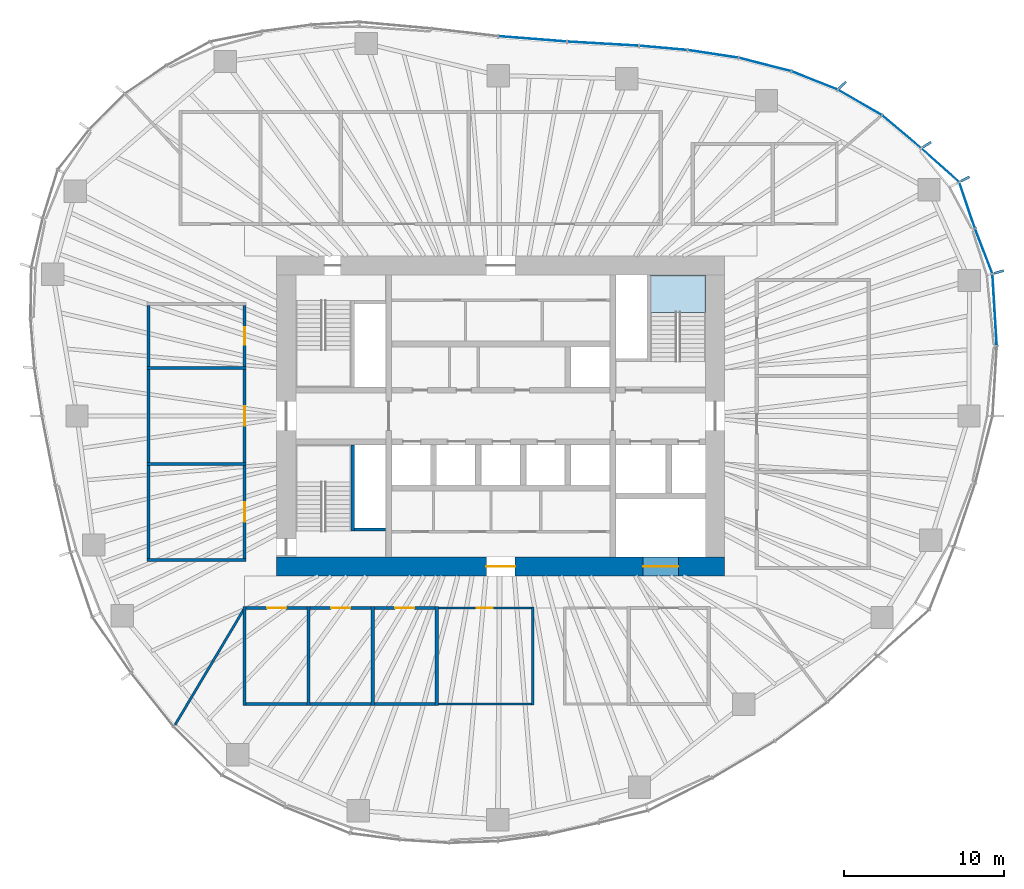
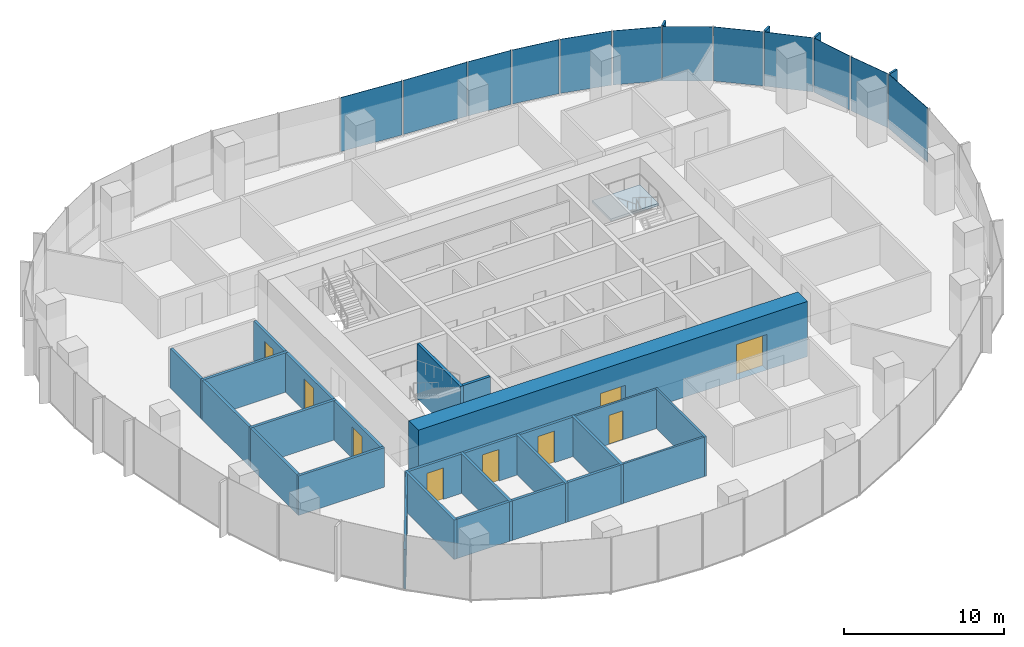
# One storey, part 8 of 18: 26 walls, 16 plates, 9 doors, 1 slab, 9 openings, 6 elements without a shape of their own.
"""IFC4 building model written with IfcOpenShell, lengths in metres."""

import ifcopenshell
import ifcopenshell.guid

model = None  # the IFC model being written
_history = None  # IfcOwnerHistory: only IFC2X3 demands one
_inside = {}  # id of a spatial element -> (the spatial element, [elements in it])
_under = {}  # id of a project, library or spatial element -> (it, [spatial elements below it])
_declared = {}  # id of a project -> (the project, [libraries it declares])
_typed = {}  # id of a type object -> (the type object, [elements of that type])
_made_of = {}  # id of a material, layer set ... -> (it, [elements and type objects made of it])


def new_model(schema):
    """Start an empty IFC model of exactly this schema.

    Asked for "IFC4X3", IfcOpenShell would pick the latest addendum, in which some entities
    have other attributes; the version numbers below select the first issue.
    IFC2X3 requires an IfcOwnerHistory on every rooted entity: one is made here for all.
    """
    global model, _history
    if schema == "IFC4X3":
        model = ifcopenshell.file(schema_version=(4, 3, 0, 0))
    else:
        model = ifcopenshell.file(schema=schema)
    _inside.clear()
    _under.clear()
    _declared.clear()
    _typed.clear()
    _made_of.clear()
    _history = None
    if model.schema == "IFC2X3":
        org = make("IfcOrganization", Name="unknown")
        user = make(
            "IfcPersonAndOrganization",
            ThePerson=make("IfcPerson", FamilyName="unknown"),
            TheOrganization=org,
        )
        app = make(
            "IfcApplication",
            ApplicationDeveloper=org,
            Version="unknown",
            ApplicationFullName="unknown",
            ApplicationIdentifier="unknown",
        )
        _history = make(
            "IfcOwnerHistory",
            OwningUser=user,
            OwningApplication=app,
            ChangeAction="ADDED",
            CreationDate=0,
        )
    return model


def make(cls, **values):
    """One entity of the class cls with the attributes given. An attribute that is None is left unset."""
    return model.create_entity(
        cls, **{name: value for name, value in values.items() if value is not None}
    )


def rooted(cls, **values):
    """An entity with a GlobalId (a new one), such as an element, a storey or a relation."""
    return make(cls, GlobalId=ifcopenshell.guid.new(), OwnerHistory=_history, **values)


def si_unit(unit_type, name, prefix=None):
    """IfcSIUnit, for example si_unit("LENGTHUNIT", "METRE", prefix="MILLI")."""
    return make("IfcSIUnit", UnitType=unit_type, Prefix=prefix, Name=name)


def assignment(units):
    """IfcUnitAssignment: the units of a project."""
    return None if units is None else make("IfcUnitAssignment", Units=units)


def point(xyz):
    """IfcCartesianPoint."""
    return None if xyz is None else make("IfcCartesianPoint", Coordinates=xyz)


def direction(xyz):
    """IfcDirection."""
    return None if xyz is None else make("IfcDirection", DirectionRatios=xyz)


def frame(location, z_axis=None, x_axis=None):
    """IfcAxis2Placement3D, a coordinate frame: its origin and axes. An axis left out is left unset."""
    return make(
        "IfcAxis2Placement3D",
        Location=point(location),
        Axis=direction(z_axis),
        RefDirection=direction(x_axis),
    )


def frame_2d(location, x_axis=None):
    """IfcAxis2Placement2D, a coordinate frame in the plane: its origin and x axis."""
    return make(
        "IfcAxis2Placement2D", Location=point(location), RefDirection=direction(x_axis)
    )


def origin():
    """The frame at (0, 0, 0) with its axes left unset."""
    return frame((0.0, 0.0, 0.0))


def origin_2d():
    """The frame at (0, 0) in the plane with its x axis left unset."""
    return frame_2d((0.0, 0.0))


def place(relative_to, where):
    """IfcLocalPlacement: puts the frame where relative to a parent placement (None: the world)."""
    return make(
        "IfcLocalPlacement", PlacementRelTo=relative_to, RelativePlacement=where
    )


def context(
    kind, dimensions, precision=None, world=None, true_north=None, identifier=None
):
    """IfcGeometricRepresentationContext, for example the 3D "Model" context."""
    return make(
        "IfcGeometricRepresentationContext",
        ContextIdentifier=identifier,
        ContextType=kind,
        CoordinateSpaceDimension=dimensions,
        Precision=precision,
        WorldCoordinateSystem=world,
        TrueNorth=true_north,
    )


def subcontext(parent, identifier, kind, view, scale=None):
    """IfcGeometricRepresentationSubContext, for example "Body" below "Model"."""
    return make(
        "IfcGeometricRepresentationSubContext",
        ContextIdentifier=identifier,
        ContextType=kind,
        ParentContext=parent,
        TargetScale=scale,
        TargetView=view,
    )


def project(units=None, contexts=None):
    """IfcProject with its units and contexts."""
    return rooted(
        "IfcProject",
        Name="project",
        RepresentationContexts=contexts,
        UnitsInContext=assignment(units),
    )


def spatial(cls, under=None, at=None, **own):
    """A site, building, storey or space (cls), placed at a placement, below another one or the project."""
    s = rooted(cls, ObjectPlacement=at, **own)
    if under is not None:
        _under.setdefault(under.id(), (under, []))[1].append(s)
    return s


def polyline(points):
    """IfcPolyline through the points."""
    return make("IfcPolyline", Points=[point(p) for p in points])


def profile(cls, at=None, kind="AREA", **sizes):
    """A parametric profile (cls). Its sizes go by their IFC names, for example OverallWidth=200.0."""
    return make(cls, ProfileType=kind, Position=at, **sizes)


def rectangle(**sizes):
    """IfcRectangleProfileDef."""
    return profile("IfcRectangleProfileDef", **sizes)


def outline(outer, holes=None, kind="AREA"):
    """IfcArbitraryClosedProfileDef: a profile drawn as a closed curve; with holes, ...WithVoids."""
    if holes is None:
        return make("IfcArbitraryClosedProfileDef", ProfileType=kind, OuterCurve=outer)
    return make(
        "IfcArbitraryProfileDefWithVoids",
        ProfileType=kind,
        OuterCurve=outer,
        InnerCurves=holes,
    )


def extrude(swept, where, along, depth):
    """IfcExtrudedAreaSolid: the profile swept, set in the frame where, extruded along a direction by depth."""
    return make(
        "IfcExtrudedAreaSolid",
        SweptArea=swept,
        Position=where,
        ExtrudedDirection=direction(along),
        Depth=depth,
    )


def shape(context_of_items, identifier, shape_type, items):
    """IfcShapeRepresentation: the items that make up one representation, for example the "Body"."""
    return make(
        "IfcShapeRepresentation",
        ContextOfItems=context_of_items,
        RepresentationIdentifier=identifier,
        RepresentationType=shape_type,
        Items=items,
    )


def material(Name=None, Category=None):
    """IfcMaterial."""
    return make("IfcMaterial", Name=Name, Category=Category)


def layer(
    of_material, thickness, ventilated=None, Name=None, Category=None, Priority=None
):
    """IfcMaterialLayer: one layer of a wall or slab, of a material (None: an air gap)."""
    return make(
        "IfcMaterialLayer",
        Material=of_material,
        LayerThickness=thickness,
        IsVentilated=ventilated,
        Name=Name,
        Category=Category,
        Priority=Priority,
    )


def layer_set(layers, Name=None):
    """IfcMaterialLayerSet."""
    return make("IfcMaterialLayerSet", MaterialLayers=layers, LayerSetName=Name)


def made_of(thing, what):
    """Note that an element or type object is made of a material, layer set ...; save() writes the relation."""
    if what is not None:
        _made_of.setdefault(what.id(), (what, []))[1].append(thing)
    return thing


def type_object(cls, material=None, **own):
    """A type object (cls), such as IfcWallType, which elements share."""
    return made_of(rooted(cls, **own), material)


def element(
    cls,
    number,
    at=None,
    inside=None,
    cuts=None,
    type_object=None,
    material=None,
    context=None,
    identifier="Body",
    shape_type=None,
    held_by="IfcProductDefinitionShape",
    body=None,
    shapes=None,
    **own,
):
    """One element of the class cls, such as IfcWall. Its Tag is "e" and its number.

    at: its placement. inside: the storey or other place that contains it. cuts: it is an
    opening in that element (IfcRelVoidsElement). A single representation is given by context,
    identifier, shape_type and body (its items); several are given by shapes. held_by: the class
    of the entity that holds the representations. save() writes the other relations.
    """
    e = rooted(cls, Tag="e%d" % number, ObjectPlacement=at, **own)
    if body is not None:
        shapes = [shape(context, identifier, shape_type, body)]
    if shapes is not None:
        e.Representation = make(held_by, Representations=shapes)
    if inside is not None:
        _inside.setdefault(inside.id(), (inside, []))[1].append(e)
    if cuts is not None:
        rooted(
            "IfcRelVoidsElement", RelatingBuildingElement=cuts, RelatedOpeningElement=e
        )
    if type_object is not None:
        _typed.setdefault(type_object.id(), (type_object, []))[1].append(e)
    return made_of(e, material)


def fill(opening, filler):
    """IfcRelFillsElement: the door or window that sits in an opening."""
    return rooted(
        "IfcRelFillsElement",
        RelatingOpeningElement=opening,
        RelatedBuildingElement=filler,
    )


def aggregate(whole, parts):
    """IfcRelAggregates: a whole, such as a stair, and the parts it consists of."""
    return rooted("IfcRelAggregates", RelatingObject=whole, RelatedObjects=parts)


def save(model, path):
    """Write the relations noted so far, then the file.

    IfcRelAggregates (storeys below a building ...), IfcRelContainedInSpatialStructure (elements
    in a storey), IfcRelDefinesByType, IfcRelAssociatesMaterial and IfcRelDeclares: one each for
    every whole, place, type object, material and project.
    """
    for whole, parts in _under.values():
        aggregate(whole, parts)
    for where, things in _inside.values():
        rooted(
            "IfcRelContainedInSpatialStructure",
            RelatedElements=things,
            RelatingStructure=where,
        )
    for kind, things in _typed.values():
        rooted("IfcRelDefinesByType", RelatedObjects=things, RelatingType=kind)
    for what, things in _made_of.values():
        rooted("IfcRelAssociatesMaterial", RelatedObjects=things, RelatingMaterial=what)
    for by, libraries in _declared.values():
        rooted("IfcRelDeclares", RelatingContext=by, RelatedDefinitions=libraries)
    model.write(path)


model = new_model("IFC4")

# Units and contexts
model_context = context("Model", 3, precision=1e-05, world=origin(), true_north=direction((0.0, 1.0)))
body_context = subcontext(model_context, "Body", "Model", "MODEL_VIEW")
ifc_project = project(units=[si_unit("LENGTHUNIT", "METRE"), si_unit("AREAUNIT", "SQUARE_METRE"), si_unit("VOLUMEUNIT", "CUBIC_METRE"), si_unit("PLANEANGLEUNIT", "RADIAN"), si_unit("MASSUNIT", "GRAM", prefix="KILO")], contexts=[model_context])

# Site, building, storey
site_placement = place(None, origin())
site = spatial("IfcSite", under=ifc_project, at=site_placement, CompositionType="ELEMENT")
building_placement = place(site_placement, origin())
building = spatial("IfcBuilding", under=site, at=building_placement, Name="Ghaith Harvest Tower", CompositionType="ELEMENT")
storey_placement = place(building_placement, frame((0.0, 0.0, 176.39990234375)))
storey = spatial("IfcBuildingStorey", under=building, at=storey_placement, Name="L38", CompositionType="ELEMENT", Elevation=176.39990234375)

# Curtain wall, plate
ifc_material_1 = material(Name="Black anodised aluminium and fritted glass", Category="aluminium")
curtain_wall_type = type_object("IfcCurtainWallType", Name="CW-L CURTAIN WALL", PredefinedType="NOTDEFINED", material=ifc_material_1)
curtain_wall_1_placement = place(storey_placement, origin())
curtain_wall_1 = element("IfcCurtainWall", 1, at=curtain_wall_1_placement, inside=storey, type_object=curtain_wall_type, Name="Curtain wall CW-L bay 01 L38", PredefinedType="NOTDEFINED")
ifc_material_2 = material(Name="Glass, dark solar-control fritted double glazed unit", Category="glass")
ifc_layer_1 = layer(ifc_material_2, 0.031982421875)
ifc_layer_set_1 = layer_set([ifc_layer_1], Name="CW-L VISION PANEL")
plate_type_1 = type_object("IfcPlateType", Name="CW-L VISION PANEL", PredefinedType="CURTAIN_PANEL", material=ifc_layer_set_1)
plate_1_placement = place(storey_placement, frame((30.863037109375, 6.63525390625, 0.080078125), z_axis=(0.0, 0.0, 1.0), x_axis=(-0.060320650032, 0.998179051663, 0.0)))
plate_1 = element("IfcPlate", 2, at=plate_1_placement, type_object=plate_type_1, Name="CW-L glass unit 2 bay 01 L38", PredefinedType="CURTAIN_PANEL", context=body_context, shape_type="SweptSolid", body=[
    extrude(rectangle(XDim=4.419189453125, YDim=0.031982421875, at=origin_2d()), origin(), (0.0, 0.0, 1.0), 4.1201171875),
])
aggregate(curtain_wall_1, [plate_1])

# Curtain wall, plates
curtain_wall_2_placement = place(storey_placement, origin())
curtain_wall_2 = element("IfcCurtainWall", 3, at=curtain_wall_2_placement, inside=storey, type_object=curtain_wall_type, Name="Curtain wall CW-L bay 02 L38", PredefinedType="NOTDEFINED")
plate_2_placement = place(storey_placement, frame((30.180908203125, 10.29833984375, 0.080078125), z_axis=(0.0, 0.0, 1.0), x_axis=(-0.359676824997, 0.933076943001, 0.0)))
plate_2 = element("IfcPlate", 4, at=plate_2_placement, type_object=plate_type_1, Name="CW-L glass unit 1 bay 02 L38", PredefinedType="CURTAIN_PANEL", context=body_context, shape_type="SweptSolid", body=[
    extrude(rectangle(XDim=2.95849609375, YDim=0.031982421875, at=origin_2d()), origin(), (0.0, 0.0, 1.0), 4.1201171875),
])
plate_3_placement = place(storey_placement, frame((29.142333984375, 13.163818359375, 0.080078125), z_axis=(0.0, 0.0, 1.0), x_axis=(-0.321853304376, 0.946789549194, 0.0)))
plate_3 = element("IfcPlate", 5, at=plate_3_placement, type_object=plate_type_1, Name="CW-L glass unit 2 bay 02 L38", PredefinedType="CURTAIN_PANEL", context=body_context, shape_type="SweptSolid", body=[
    extrude(rectangle(XDim=2.978759765625, YDim=0.031982421875, at=origin_2d()), origin(), (0.0, 0.0, 1.0), 4.1201171875),
])
plate_4_placement = place(storey_placement, frame((27.46533203125, 15.668701171875, 0.080078125), z_axis=(0.0, 0.0, 1.0), x_axis=(-0.746250544556, 0.665665174656, 0.0)))
plate_4 = element("IfcPlate", 6, at=plate_4_placement, type_object=plate_type_1, Name="CW-L glass unit 3 bay 02 L38", PredefinedType="CURTAIN_PANEL", context=body_context, shape_type="SweptSolid", body=[
    extrude(rectangle(XDim=3.094970703125, YDim=0.031982421875, at=origin_2d()), origin(), (0.0, 0.0, 1.0), 4.1201171875),
])
aggregate(curtain_wall_2, [plate_2, plate_3, plate_4])

curtain_wall_3_placement = place(storey_placement, origin())
curtain_wall_3 = element("IfcCurtainWall", 7, at=curtain_wall_3_placement, inside=storey, type_object=curtain_wall_type, Name="Curtain wall CW-L bay 03 L38", PredefinedType="NOTDEFINED")
plate_5_placement = place(storey_placement, frame((25.05126953125, 17.7587890625, 0.080078125), z_axis=(0.0, 0.0, 1.0), x_axis=(-0.765473064857, 0.643467937801, 0.0)))
plate_5 = element("IfcPlate", 8, at=plate_5_placement, type_object=plate_type_1, Name="CW-L glass unit 1 bay 03 L38", PredefinedType="CURTAIN_PANEL", context=body_context, shape_type="SweptSolid", body=[
    extrude(rectangle(XDim=3.13232421875, YDim=0.031982421875, at=origin_2d()), origin(), (0.0, 0.0, 1.0), 4.1201171875),
])
plate_6_placement = place(storey_placement, frame((22.444091796875, 19.590576171875, 0.080078125), z_axis=(0.0, 0.0, 1.0), x_axis=(-0.865232087993, 0.501371552751, 0.0)))
plate_6 = element("IfcPlate", 9, at=plate_6_placement, type_object=plate_type_1, Name="CW-L glass unit 2 bay 03 L38", PredefinedType="CURTAIN_PANEL", context=body_context, shape_type="SweptSolid", body=[
    extrude(rectangle(XDim=3.10498046875, YDim=0.031982421875, at=origin_2d()), origin(), (0.0, 0.0, 1.0), 4.1201171875),
])
plate_7_placement = place(storey_placement, frame((19.6142578125, 20.963623046875, 0.080078125), z_axis=(0.0, 0.0, 1.0), x_axis=(-0.929876534019, 0.367871759558, 0.0)))
plate_7 = element("IfcPlate", 10, at=plate_7_placement, type_object=plate_type_1, Name="CW-L glass unit 3 bay 03 L38", PredefinedType="CURTAIN_PANEL", context=body_context, shape_type="SweptSolid", body=[
    extrude(rectangle(XDim=3.042724609375, YDim=0.031982421875, at=origin_2d()), origin(), (0.0, 0.0, 1.0), 4.1201171875),
])
aggregate(curtain_wall_3, [plate_5, plate_6, plate_7])

curtain_wall_4_placement = place(storey_placement, origin())
curtain_wall_4 = element("IfcCurtainWall", 11, at=curtain_wall_4_placement, inside=storey, type_object=curtain_wall_type, Name="Curtain wall CW-L bay 04 L38", PredefinedType="NOTDEFINED")
plate_8_placement = place(storey_placement, frame((16.513427734375, 21.958740234375, 0.080078125), z_axis=(0.0, 0.0, 1.0), x_axis=(-0.96893110987, 0.247330758955, 0.0)))
plate_8 = element("IfcPlate", 12, at=plate_8_placement, type_object=plate_type_1, Name="CW-L glass unit 1 bay 04 L38", PredefinedType="CURTAIN_PANEL", context=body_context, shape_type="SweptSolid", body=[
    extrude(rectangle(XDim=3.3232421875, YDim=0.031982421875, at=origin_2d()), origin(), (0.0, 0.0, 1.0), 4.1201171875),
])
plate_9_placement = place(storey_placement, frame((13.2685546875, 22.621826171875, 0.080078125), z_axis=(0.0, 0.0, 1.0), x_axis=(-0.988678736369, 0.150047846542, 0.0)))
plate_9 = element("IfcPlate", 13, at=plate_9_placement, type_object=plate_type_1, Name="CW-L glass unit 2 bay 04 L38", PredefinedType="CURTAIN_PANEL", context=body_context, shape_type="SweptSolid", body=[
    extrude(rectangle(XDim=3.14892578125, YDim=0.031982421875, at=origin_2d()), origin(), (0.0, 0.0, 1.0), 4.1201171875),
])
plate_10_placement = place(storey_placement, frame((10.15966796875, 22.9970703125, 0.080078125), z_axis=(0.0, 0.0, 1.0), x_axis=(-0.996166190972, 0.087480969151, 0.0)))
plate_10 = element("IfcPlate", 14, at=plate_10_placement, type_object=plate_type_1, Name="CW-L glass unit 3 bay 04 L38", PredefinedType="CURTAIN_PANEL", context=body_context, shape_type="SweptSolid", body=[
    extrude(rectangle(XDim=2.957275390625, YDim=0.031982421875, at=origin_2d()), origin(), (0.0, 0.0, 1.0), 4.1201171875),
])
aggregate(curtain_wall_4, [plate_8, plate_9, plate_10])

curtain_wall_5_placement = place(storey_placement, origin())
curtain_wall_5 = element("IfcCurtainWall", 15, at=curtain_wall_5_placement, inside=storey, type_object=curtain_wall_type, Name="Curtain wall CW-L bay 05 L38", PredefinedType="NOTDEFINED")
plate_11_placement = place(storey_placement, frame((6.396728515625, 23.260498046875, 0.080078125), z_axis=(0.0, 0.0, 1.0), x_axis=(-0.998320798751, 0.05792739233, 0.0)))
plate_11 = element("IfcPlate", 16, at=plate_11_placement, type_object=plate_type_1, Name="CW-L glass unit 1 bay 05 L38", PredefinedType="CURTAIN_PANEL", context=body_context, shape_type="SweptSolid", body=[
    extrude(rectangle(XDim=4.427734375, YDim=0.031982421875, at=origin_2d()), origin(), (0.0, 0.0, 1.0), 4.1201171875),
])
plate_12_placement = place(storey_placement, frame((1.9921875, 23.560302734375, 0.080078125), z_axis=(0.0, 0.0, 1.0), x_axis=(-0.996925121312, 0.078360082291, 0.0)))
plate_12 = element("IfcPlate", 17, at=plate_12_placement, type_object=plate_type_1, Name="CW-L glass unit 2 bay 05 L38", PredefinedType="CURTAIN_PANEL", context=body_context, shape_type="SweptSolid", body=[
    extrude(rectangle(XDim=4.242431640625, YDim=0.031982421875, at=origin_2d()), origin(), (0.0, 0.0, 1.0), 4.1201171875),
])
aggregate(curtain_wall_5, [plate_11, plate_12])

# Stair, slab
ifc_material_3 = material(Name="Concrete C40/50, precast", Category="concrete")
stair_type = type_object("IfcStairType", Name="CORE STAIR 24R", PredefinedType="HALF_TURN_STAIR", material=ifc_material_3)
stair_placement = place(storey_placement, origin())
stair = element("IfcStair", 18, at=stair_placement, inside=storey, type_object=stair_type, Name="Stair ST2 L38", PredefinedType="HALF_TURN_STAIR")
ifc_material_4 = material(Name="Concrete C40/50, precast", Category="concrete")
ifc_layer_2 = layer(ifc_material_4, 0.179931640625)
ifc_layer_set_2 = layer_set([ifc_layer_2], Name="STAIR LANDING 180")
slab_type = type_object("IfcSlabType", Name="STAIR LANDING 180", PredefinedType="LANDING", material=ifc_layer_set_2)
slab_placement = place(storey_placement, frame((0.0, 0.0, 1.920166015625)))
slab = element("IfcSlab", 19, at=slab_placement, type_object=slab_type, Name="ST2 landing 1", PredefinedType="LANDING", context=body_context, shape_type="SweptSolid", body=[
    extrude(outline(polyline([(12.800048828125, 6.4599609375), (12.800048828125, 8.800048828125), (9.35009765625, 8.800048828125), (9.35009765625, 6.4599609375), (12.800048828125, 6.4599609375)])), origin(), (0.0, 0.0, 1.0), 0.179931640625),
])
aggregate(stair, [slab])

# Plates
ifc_material_5 = material(Name="Glassfibre-reinforced concrete", Category="concrete")
ifc_layer_3 = layer(ifc_material_5, 0.14990234375)
ifc_layer_set_3 = layer_set([ifc_layer_3], Name="SUN-BREAKER FIN 600x150")
plate_type_2 = type_object("IfcPlateType", Name="SUN-BREAKER FIN 600x150", PredefinedType="USERDEFINED", material=ifc_layer_set_3)
for number, where, z_axis, x_axis, name in (
    (20, (31.130859375, 8.99755859375, 0.0), (0.0, 0.0, 1.0), (0.960680349985, 0.277656739792, 0.0), "Sun-breaker fin CW-L 1 bay 02 L38"),
    (21, (29.024169921875, 14.802734375, 0.0), (0.0, 0.0, 1.0), (0.890830752257, 0.454335306611, 0.0), "Sun-breaker fin CW-L 3 bay 02 L38"),
    (22, (26.635009765625, 16.95068359375, 0.0), (0.0, 0.0, 1.0), (0.843643971464, 0.536903016766, 0.0), "Sun-breaker fin CW-L 1 bay 03 L38"),
    (23, (21.367919921875, 20.68115234375, 0.0), (0.0, 0.0, 1.0), (0.7185589652, 0.69546604053, 0.0), "Sun-breaker fin CW-L 3 bay 03 L38"),
):
    element("IfcPlate", number, at=place(storey_placement, frame(where, z_axis=z_axis, x_axis=x_axis)), inside=storey, type_object=plate_type_2, Name=name, ObjectType="SUN-BREAKER FIN", PredefinedType="USERDEFINED", context=body_context, shape_type="SweptSolid", body=[
        extrude(rectangle(XDim=0.60009765625, YDim=0.14990234375, at=origin_2d()), origin(), (0.0, 0.0, 1.0), 4.199951171875),
    ])

# Walls
ifc_material_6 = material(Name="Twin-stud gypsum board, acoustic", Category="gypsum")
ifc_layer_4 = layer(ifc_material_6, 0.199951171875)
ifc_layer_set_4 = layer_set([ifc_layer_4], Name="ACOUSTIC PARTITION 200")
wall_type_1 = type_object("IfcWallType", Name="ACOUSTIC PARTITION 200", PredefinedType="PARTITIONING", material=ifc_layer_set_4)
for number, where, z_axis, x_axis, name in (
    (24, (-16.0, -11.89990234375, 0.0), (0.0, 0.0, 1.0), (0.0, -1.0, 0.0), "Partition L38 row S3 cross wall 1"),
    (25, (-12.0, -11.89990234375, 0.0), (0.0, 0.0, 1.0), (0.0, -1.0, 0.0), "Partition L38 row S3 cross wall 2"),
    (26, (-8.0, -11.89990234375, 0.0), (0.0, 0.0, 1.0), (0.0, -1.0, 0.0), "Partition L38 row S3 cross wall 3"),
    (27, (-4.0, -11.89990234375, 0.0), (0.0, 0.0, 1.0), (0.0, -1.0, 0.0), "Partition L38 row S3 cross wall 4"),
):
    element("IfcWall", number, at=place(storey_placement, frame(where, z_axis=z_axis, x_axis=x_axis)), inside=storey, type_object=wall_type_1, Name=name, PredefinedType="PARTITIONING", context=body_context, shape_type="SweptSolid", body=[
        extrude(rectangle(XDim=6.2001953125, YDim=0.199951171875, at=frame_2d((3.10009765625, 0.0))), origin(), (0.0, 0.0, 1.0), 3.0),
    ])

# Wall, opening, door
wall_1_placement = place(storey_placement, frame((-15.89990234375, -12.0, 0.0), z_axis=(0.0, 0.0, 1.0), x_axis=(1.0, 0.0, 0.0)))
wall_1 = element("IfcWall", 28, at=wall_1_placement, inside=storey, type_object=wall_type_1, Name="Partition L38-08", PredefinedType="PARTITIONING", context=body_context, shape_type="SweptSolid", body=[
    extrude(rectangle(XDim=3.7998046875, YDim=0.199951171875, at=frame_2d((1.89990234375, 0.0))), origin(), (0.0, 0.0, 1.0), 3.0),
])
opening_1_placement = place(wall_1_placement, frame((1.300048828125, 0.0, 0.0)))
opening_1 = element("IfcOpeningElement", 29, at=opening_1_placement, cuts=wall_1, Name="Opening 38-034", PredefinedType="OPENING", context=body_context, shape_type="SweptSolid", body=[
    extrude(rectangle(XDim=1.199951171875, YDim=2.39990234375, at=frame_2d((0.60009765625, 1.199951171875))), frame((0.0, 0.10986328125, 0.0), z_axis=(0.0, -1.0, 0.0), x_axis=(1.0, 0.0, 0.0)), (0.0, 0.0, 1.0), 0.219970703125),
])
ifc_material_7 = material(Name="Timber door", Category="wood")
door_type_1 = type_object("IfcDoorType", Name="D11 GLAZED 1200x2400", OperationType="SINGLE_SWING_LEFT", PredefinedType="DOOR", material=ifc_material_7)
door_1_placement = place(opening_1_placement, origin())
door_1 = element("IfcDoor", 30, at=door_1_placement, inside=storey, type_object=door_type_1, Name="Meeting room door", OperationType="SINGLE_SWING_LEFT", OverallHeight=2.39990234375, OverallWidth=1.199951171875, PredefinedType="DOOR", context=body_context, shape_type="SweptSolid", body=[
    extrude(rectangle(XDim=1.199951171875, YDim=2.39990234375, at=frame_2d((0.60009765625, 1.199951171875))), frame((0.0, 0.02490234375, 0.0), z_axis=(0.0, -1.0, 0.0), x_axis=(1.0, 0.0, 0.0)), (0.0, 0.0, 1.0), 0.050048828125),
])
fill(opening_1, door_1)

# Wall
wall_2_placement = place(storey_placement, frame((-15.89990234375, -18.0, 0.0), z_axis=(0.0, 0.0, 1.0), x_axis=(1.0, 0.0, 0.0)))
element("IfcWall", 31, at=wall_2_placement, inside=storey, type_object=wall_type_1, Name="Partition L38-08", PredefinedType="PARTITIONING", context=body_context, shape_type="SweptSolid", body=[
    extrude(rectangle(XDim=3.7998046875, YDim=0.199951171875, at=frame_2d((1.89990234375, 0.0))), origin(), (0.0, 0.0, 1.0), 3.0),
])

# Wall, opening, door
wall_3_placement = place(storey_placement, frame((-11.89990234375, -12.0, 0.0), z_axis=(0.0, 0.0, 1.0), x_axis=(1.0, 0.0, 0.0)))
wall_3 = element("IfcWall", 32, at=wall_3_placement, inside=storey, type_object=wall_type_1, Name="Partition L38-09", PredefinedType="PARTITIONING", context=body_context, shape_type="SweptSolid", body=[
    extrude(rectangle(XDim=3.7998046875, YDim=0.199951171875, at=frame_2d((1.89990234375, 0.0))), origin(), (0.0, 0.0, 1.0), 3.0),
])
opening_2_placement = place(wall_3_placement, frame((1.300048828125, 0.0, 0.0)))
opening_2 = element("IfcOpeningElement", 33, at=opening_2_placement, cuts=wall_3, Name="Opening 38-035", PredefinedType="OPENING", context=body_context, shape_type="SweptSolid", body=[
    extrude(rectangle(XDim=1.199951171875, YDim=2.39990234375, at=frame_2d((0.60009765625, 1.199951171875))), frame((0.0, 0.10986328125, 0.0), z_axis=(0.0, -1.0, 0.0), x_axis=(1.0, 0.0, 0.0)), (0.0, 0.0, 1.0), 0.219970703125),
])
door_2_placement = place(opening_2_placement, origin())
door_2 = element("IfcDoor", 34, at=door_2_placement, inside=storey, type_object=door_type_1, Name="Meeting room door", OperationType="SINGLE_SWING_LEFT", OverallHeight=2.39990234375, OverallWidth=1.199951171875, PredefinedType="DOOR", context=body_context, shape_type="SweptSolid", body=[
    extrude(rectangle(XDim=1.199951171875, YDim=2.39990234375, at=frame_2d((0.60009765625, 1.199951171875))), frame((0.0, 0.02490234375, 0.0), z_axis=(0.0, -1.0, 0.0), x_axis=(1.0, 0.0, 0.0)), (0.0, 0.0, 1.0), 0.050048828125),
])
fill(opening_2, door_2)

# Wall
wall_4_placement = place(storey_placement, frame((-11.89990234375, -18.0, 0.0), z_axis=(0.0, 0.0, 1.0), x_axis=(1.0, 0.0, 0.0)))
element("IfcWall", 35, at=wall_4_placement, inside=storey, type_object=wall_type_1, Name="Partition L38-09", PredefinedType="PARTITIONING", context=body_context, shape_type="SweptSolid", body=[
    extrude(rectangle(XDim=3.7998046875, YDim=0.199951171875, at=frame_2d((1.89990234375, 0.0))), origin(), (0.0, 0.0, 1.0), 3.0),
])

# Wall, opening, door
wall_5_placement = place(storey_placement, frame((-7.89990234375, -12.0, 0.0), z_axis=(0.0, 0.0, 1.0), x_axis=(1.0, 0.0, 0.0)))
wall_5 = element("IfcWall", 36, at=wall_5_placement, inside=storey, type_object=wall_type_1, Name="Partition L38-10", PredefinedType="PARTITIONING", context=body_context, shape_type="SweptSolid", body=[
    extrude(rectangle(XDim=3.7998046875, YDim=0.199951171875, at=frame_2d((1.89990234375, 0.0))), origin(), (0.0, 0.0, 1.0), 3.0),
])
opening_3_placement = place(wall_5_placement, frame((1.300048828125, 0.0, 0.0)))
opening_3 = element("IfcOpeningElement", 37, at=opening_3_placement, cuts=wall_5, Name="Opening 38-036", PredefinedType="OPENING", context=body_context, shape_type="SweptSolid", body=[
    extrude(rectangle(XDim=1.199951171875, YDim=2.39990234375, at=frame_2d((0.60009765625, 1.199951171875))), frame((0.0, 0.10986328125, 0.0), z_axis=(0.0, -1.0, 0.0), x_axis=(1.0, 0.0, 0.0)), (0.0, 0.0, 1.0), 0.219970703125),
])
door_3_placement = place(opening_3_placement, origin())
door_3 = element("IfcDoor", 38, at=door_3_placement, inside=storey, type_object=door_type_1, Name="Meeting room door", OperationType="SINGLE_SWING_LEFT", OverallHeight=2.39990234375, OverallWidth=1.199951171875, PredefinedType="DOOR", context=body_context, shape_type="SweptSolid", body=[
    extrude(rectangle(XDim=1.199951171875, YDim=2.39990234375, at=frame_2d((0.60009765625, 1.199951171875))), frame((0.0, 0.02490234375, 0.0), z_axis=(0.0, -1.0, 0.0), x_axis=(1.0, 0.0, 0.0)), (0.0, 0.0, 1.0), 0.050048828125),
])
fill(opening_3, door_3)

# Walls
wall_6_placement = place(storey_placement, frame((-7.89990234375, -18.0, 0.0), z_axis=(0.0, 0.0, 1.0), x_axis=(1.0, 0.0, 0.0)))
element("IfcWall", 39, at=wall_6_placement, inside=storey, type_object=wall_type_1, Name="Partition L38-10", PredefinedType="PARTITIONING", context=body_context, shape_type="SweptSolid", body=[
    extrude(rectangle(XDim=3.7998046875, YDim=0.199951171875, at=frame_2d((1.89990234375, 0.0))), origin(), (0.0, 0.0, 1.0), 3.0),
])
for number, where, z_axis, x_axis, name in (
    (40, (-15.89990234375, -9.0, 0.0), (0.0, 0.0, 1.0), (-1.0, 0.0, 0.0), "Partition L38 row W5 cross wall 1"),
    (41, (-15.89990234375, -3.0, 0.0), (0.0, 0.0, 1.0), (-1.0, 0.0, 0.0), "Partition L38 row W5 cross wall 2"),
    (42, (-15.89990234375, 3.0, 0.0), (0.0, 0.0, 1.0), (-1.0, 0.0, 0.0), "Partition L38 row W5 cross wall 3"),
):
    element("IfcWall", number, at=place(storey_placement, frame(where, z_axis=z_axis, x_axis=x_axis)), inside=storey, type_object=wall_type_1, Name=name, PredefinedType="PARTITIONING", context=body_context, shape_type="SweptSolid", body=[
        extrude(rectangle(XDim=6.2001953125, YDim=0.199951171875, at=frame_2d((3.10009765625, 0.0))), origin(), (0.0, 0.0, 1.0), 3.0),
    ])

# Wall, opening, door
wall_7_placement = place(storey_placement, frame((-16.0, -8.89990234375, 0.0), z_axis=(0.0, 0.0, 1.0), x_axis=(0.0, 1.0, 0.0)))
wall_7 = element("IfcWall", 43, at=wall_7_placement, inside=storey, type_object=wall_type_1, Name="Partition L38-14", PredefinedType="PARTITIONING", context=body_context, shape_type="SweptSolid", body=[
    extrude(rectangle(XDim=5.7998046875, YDim=0.199951171875, at=frame_2d((2.89990234375, 0.0))), origin(), (0.0, 0.0, 1.0), 3.0),
])
opening_4_placement = place(wall_7_placement, frame((2.300048828125, 0.0, 0.0)))
opening_4 = element("IfcOpeningElement", 44, at=opening_4_placement, cuts=wall_7, Name="Opening 38-040", PredefinedType="OPENING", context=body_context, shape_type="SweptSolid", body=[
    extrude(rectangle(XDim=1.199951171875, YDim=2.39990234375, at=frame_2d((0.60009765625, 1.199951171875))), frame((0.0, 0.10986328125, 0.0), z_axis=(0.0, -1.0, 0.0), x_axis=(1.0, 0.0, 0.0)), (0.0, 0.0, 1.0), 0.219970703125),
])
door_4_placement = place(opening_4_placement, origin())
door_4 = element("IfcDoor", 45, at=door_4_placement, inside=storey, type_object=door_type_1, Name="Meeting room door", OperationType="SINGLE_SWING_LEFT", OverallHeight=2.39990234375, OverallWidth=1.199951171875, PredefinedType="DOOR", context=body_context, shape_type="SweptSolid", body=[
    extrude(rectangle(XDim=1.199951171875, YDim=2.39990234375, at=frame_2d((0.60009765625, 1.199951171875))), frame((0.0, 0.02490234375, 0.0), z_axis=(0.0, -1.0, 0.0), x_axis=(1.0, 0.0, 0.0)), (0.0, 0.0, 1.0), 0.050048828125),
])
fill(opening_4, door_4)

# Wall
wall_8_placement = place(storey_placement, frame((-22.0, -8.89990234375, 0.0), z_axis=(0.0, 0.0, 1.0), x_axis=(0.0, 1.0, 0.0)))
element("IfcWall", 46, at=wall_8_placement, inside=storey, type_object=wall_type_1, Name="Partition L38-14", PredefinedType="PARTITIONING", context=body_context, shape_type="SweptSolid", body=[
    extrude(rectangle(XDim=5.7998046875, YDim=0.199951171875, at=frame_2d((2.89990234375, 0.0))), origin(), (0.0, 0.0, 1.0), 3.0),
])

# Wall, opening, door
wall_9_placement = place(storey_placement, frame((-16.0, -2.89990234375, 0.0), z_axis=(0.0, 0.0, 1.0), x_axis=(0.0, 1.0, 0.0)))
wall_9 = element("IfcWall", 47, at=wall_9_placement, inside=storey, type_object=wall_type_1, Name="Partition L38-15", PredefinedType="PARTITIONING", context=body_context, shape_type="SweptSolid", body=[
    extrude(rectangle(XDim=5.7998046875, YDim=0.199951171875, at=frame_2d((2.89990234375, 0.0))), origin(), (0.0, 0.0, 1.0), 3.0),
])
opening_5_placement = place(wall_9_placement, frame((2.300048828125, 0.0, 0.0)))
opening_5 = element("IfcOpeningElement", 48, at=opening_5_placement, cuts=wall_9, Name="Opening 38-041", PredefinedType="OPENING", context=body_context, shape_type="SweptSolid", body=[
    extrude(rectangle(XDim=1.199951171875, YDim=2.39990234375, at=frame_2d((0.60009765625, 1.199951171875))), frame((0.0, 0.10986328125, 0.0), z_axis=(0.0, -1.0, 0.0), x_axis=(1.0, 0.0, 0.0)), (0.0, 0.0, 1.0), 0.219970703125),
])
door_5_placement = place(opening_5_placement, origin())
door_5 = element("IfcDoor", 49, at=door_5_placement, inside=storey, type_object=door_type_1, Name="Meeting room door", OperationType="SINGLE_SWING_LEFT", OverallHeight=2.39990234375, OverallWidth=1.199951171875, PredefinedType="DOOR", context=body_context, shape_type="SweptSolid", body=[
    extrude(rectangle(XDim=1.199951171875, YDim=2.39990234375, at=frame_2d((0.60009765625, 1.199951171875))), frame((0.0, 0.02490234375, 0.0), z_axis=(0.0, -1.0, 0.0), x_axis=(1.0, 0.0, 0.0)), (0.0, 0.0, 1.0), 0.050048828125),
])
fill(opening_5, door_5)

# Wall
wall_10_placement = place(storey_placement, frame((-22.0, -2.89990234375, 0.0), z_axis=(0.0, 0.0, 1.0), x_axis=(0.0, 1.0, 0.0)))
element("IfcWall", 50, at=wall_10_placement, inside=storey, type_object=wall_type_1, Name="Partition L38-15", PredefinedType="PARTITIONING", context=body_context, shape_type="SweptSolid", body=[
    extrude(rectangle(XDim=5.7998046875, YDim=0.199951171875, at=frame_2d((2.89990234375, 0.0))), origin(), (0.0, 0.0, 1.0), 3.0),
])

# Wall, opening, door
wall_11_placement = place(storey_placement, frame((-16.0, 3.10009765625, 0.0), z_axis=(0.0, 0.0, 1.0), x_axis=(0.0, 1.0, 0.0)))
wall_11 = element("IfcWall", 51, at=wall_11_placement, inside=storey, type_object=wall_type_1, Name="Partition L38-16", PredefinedType="PARTITIONING", context=body_context, shape_type="SweptSolid", body=[
    extrude(rectangle(XDim=3.7998046875, YDim=0.199951171875, at=frame_2d((1.89990234375, 0.0))), origin(), (0.0, 0.0, 1.0), 3.0),
])
opening_6_placement = place(wall_11_placement, frame((1.35009765625, 0.0, 0.0)))
opening_6 = element("IfcOpeningElement", 52, at=opening_6_placement, cuts=wall_11, Name="Opening 38-042", PredefinedType="OPENING", context=body_context, shape_type="SweptSolid", body=[
    extrude(rectangle(XDim=1.10009765625, YDim=2.300048828125, at=frame_2d((0.550048828125, 1.14990234375))), frame((0.0, 0.10986328125, 0.0), z_axis=(0.0, -1.0, 0.0), x_axis=(1.0, 0.0, 0.0)), (0.0, 0.0, 1.0), 0.219970703125),
])
ifc_material_8 = material(Name="Timber-framed glazed door", Category="wood")
door_type_2 = type_object("IfcDoorType", Name="D12 GLAZED OFFICE 1100x2300", OperationType="SINGLE_SWING_LEFT", PredefinedType="DOOR", material=ifc_material_8)
door_6_placement = place(opening_6_placement, origin())
door_6 = element("IfcDoor", 53, at=door_6_placement, inside=storey, type_object=door_type_2, Name="Quiet room door", OperationType="SINGLE_SWING_LEFT", OverallHeight=2.300048828125, OverallWidth=1.10009765625, PredefinedType="DOOR", context=body_context, shape_type="SweptSolid", body=[
    extrude(rectangle(XDim=1.10009765625, YDim=2.300048828125, at=frame_2d((0.550048828125, 1.14990234375))), frame((0.0, 0.02490234375, 0.0), z_axis=(0.0, -1.0, 0.0), x_axis=(1.0, 0.0, 0.0)), (0.0, 0.0, 1.0), 0.050048828125),
])
fill(opening_6, door_6)

# Wall
wall_12_placement = place(storey_placement, frame((-22.0, 3.10009765625, 0.0), z_axis=(0.0, 0.0, 1.0), x_axis=(0.0, 1.0, 0.0)))
element("IfcWall", 54, at=wall_12_placement, inside=storey, type_object=wall_type_1, Name="Partition L38-16", PredefinedType="PARTITIONING", context=body_context, shape_type="SweptSolid", body=[
    extrude(rectangle(XDim=3.7998046875, YDim=0.199951171875, at=frame_2d((1.89990234375, 0.0))), origin(), (0.0, 0.0, 1.0), 3.0),
])

# Wall, openings, doors
ifc_material_9 = material(Name="Concrete C60/75", Category="concrete")
ifc_layer_5 = layer(ifc_material_9, 1.199951171875)
ifc_layer_set_5 = layer_set([ifc_layer_5], Name="CORE WALL CW1200 C60")
wall_type_2 = type_object("IfcWallType", Name="CORE WALL CW1200 C60", PredefinedType="SHEAR", material=ifc_layer_set_5)
wall_13_placement = place(storey_placement, frame((-14.0, -9.39990234375, 0.0), z_axis=(0.0, 0.0, 1.0), x_axis=(1.0, 0.0, 0.0)))
wall_13 = element("IfcWall", 55, at=wall_13_placement, inside=storey, type_object=wall_type_2, Name="Core wall S L38", PredefinedType="SHEAR", context=body_context, shape_type="SweptSolid", body=[
    extrude(rectangle(XDim=28.0, YDim=1.199951171875, at=frame_2d((14.0, 0.0))), origin(), (0.0, 0.0, 1.0), 4.2001953125),
])
opening_7_placement = place(wall_13_placement, frame((13.10009765625, 0.0, 0.0)))
opening_7 = element("IfcOpeningElement", 56, at=opening_7_placement, cuts=wall_13, Name="Opening 38-019", PredefinedType="OPENING", context=body_context, shape_type="SweptSolid", body=[
    extrude(rectangle(XDim=1.800048828125, YDim=2.39990234375, at=frame_2d((0.89990234375, 1.199951171875))), frame((0.0, 0.60986328125, 0.0), z_axis=(0.0, -1.0, 0.0), x_axis=(1.0, 0.0, 0.0)), (0.0, 0.0, 1.0), 1.219970703125),
])
opening_8_placement = place(wall_13_placement, frame((22.89990234375, 0.0, 0.0)))
opening_8 = element("IfcOpeningElement", 57, at=opening_8_placement, cuts=wall_13, Name="Opening 38-026", PredefinedType="OPENING", context=body_context, shape_type="SweptSolid", body=[
    extrude(rectangle(XDim=2.199951171875, YDim=2.699951171875, at=frame_2d((1.10009765625, 1.35009765625))), frame((0.0, 0.60986328125, 0.0), z_axis=(0.0, -1.0, 0.0), x_axis=(1.0, 0.0, 0.0)), (0.0, 0.0, 1.0), 1.219970703125),
])
ifc_material_10 = material(Name="Steel fire door", Category="steel")
door_type_3 = type_object("IfcDoorType", Name="D4 FD90 PAIR 1800x2400", OperationType="DOUBLE_DOOR_SINGLE_SWING", PredefinedType="DOOR", material=ifc_material_10)
door_7_placement = place(opening_7_placement, origin())
door_7 = element("IfcDoor", 58, at=door_7_placement, inside=storey, type_object=door_type_3, Name="Core service corridor doors", OperationType="DOUBLE_DOOR_SINGLE_SWING", OverallHeight=2.39990234375, OverallWidth=1.800048828125, PredefinedType="DOOR", context=body_context, shape_type="SweptSolid", body=[
    extrude(rectangle(XDim=1.800048828125, YDim=2.39990234375, at=frame_2d((0.89990234375, 1.199951171875))), frame((0.0, 0.02490234375, 0.0), z_axis=(0.0, -1.0, 0.0), x_axis=(1.0, 0.0, 0.0)), (0.0, 0.0, 1.0), 0.050048828125),
])
fill(opening_7, door_7)
ifc_material_11 = material(Name="Steel fire door", Category="steel")
door_type_4 = type_object("IfcDoorType", Name="LD3 LANDING 2200x2700", OperationType="DOUBLE_DOOR_SLIDING", PredefinedType="DOOR", material=ifc_material_11)
door_8_placement = place(opening_8_placement, origin())
door_8 = element("IfcDoor", 59, at=door_8_placement, inside=storey, type_object=door_type_4, Name="Landing door, goods lift GL1", OperationType="DOUBLE_DOOR_SLIDING", OverallHeight=2.699951171875, OverallWidth=2.199951171875, PredefinedType="DOOR", context=body_context, shape_type="SweptSolid", body=[
    extrude(rectangle(XDim=2.199951171875, YDim=2.699951171875, at=frame_2d((1.10009765625, 1.35009765625))), frame((0.0, 0.02490234375, 0.0), z_axis=(0.0, -1.0, 0.0), x_axis=(1.0, 0.0, 0.0)), (0.0, 0.0, 1.0), 0.050048828125),
])
fill(opening_8, door_8)

# Wall
ifc_material_12 = material(Name="Gypsum board on steel studs", Category="steel")
ifc_layer_6 = layer(ifc_material_12, 0.14990234375)
ifc_layer_set_6 = layer_set([ifc_layer_6], Name="PARTITION 150")
wall_type_3 = type_object("IfcWallType", Name="PARTITION 150", PredefinedType="PARTITIONING", material=ifc_layer_set_6)
wall_14_placement = place(storey_placement, frame((2.0, -11.925048828125, 0.0), z_axis=(0.0, 0.0, 1.0), x_axis=(0.0, -1.0, 0.0)))
element("IfcWall", 60, at=wall_14_placement, inside=storey, type_object=wall_type_3, Name="Partition L38 row S3 cross wall 5", PredefinedType="PARTITIONING", context=body_context, shape_type="SweptSolid", body=[
    extrude(rectangle(XDim=6.14990234375, YDim=0.14990234375, at=frame_2d((3.074951171875, 0.0))), origin(), (0.0, 0.0, 1.0), 3.0),
])

# Wall, opening, door
wall_15_placement = place(storey_placement, frame((-3.89990234375, -12.0, 0.0), z_axis=(0.0, 0.0, 1.0), x_axis=(1.0, 0.0, 0.0)))
wall_15 = element("IfcWall", 61, at=wall_15_placement, inside=storey, type_object=wall_type_3, Name="Partition L38-11", PredefinedType="PARTITIONING", context=body_context, shape_type="SweptSolid", body=[
    extrude(rectangle(XDim=5.824951171875, YDim=0.14990234375, at=frame_2d((2.91259765625, 0.0))), origin(), (0.0, 0.0, 1.0), 3.0),
])
opening_9_placement = place(wall_15_placement, frame((2.41259765625, 0.0, 0.0)))
opening_9 = element("IfcOpeningElement", 62, at=opening_9_placement, cuts=wall_15, Name="Opening 38-037", PredefinedType="OPENING", context=body_context, shape_type="SweptSolid", body=[
    extrude(rectangle(XDim=1.0, YDim=2.199951171875, at=frame_2d((0.5, 1.10009765625))), frame((0.0, 0.0849609375, 0.0), z_axis=(0.0, -1.0, 0.0), x_axis=(1.0, 0.0, 0.0)), (0.0, 0.0, 1.0), 0.169921875),
])
ifc_material_13 = material(Name="Timber door", Category="wood")
door_type_5 = type_object("IfcDoorType", Name="D1 SINGLE 1000x2200", OperationType="SINGLE_SWING_LEFT", PredefinedType="DOOR", material=ifc_material_13)
door_9_placement = place(opening_9_placement, origin())
door_9 = element("IfcDoor", 63, at=door_9_placement, inside=storey, type_object=door_type_5, Name="Pantry door", OperationType="SINGLE_SWING_LEFT", OverallHeight=2.199951171875, OverallWidth=1.0, PredefinedType="DOOR", context=body_context, shape_type="SweptSolid", body=[
    extrude(rectangle(XDim=1.0, YDim=2.199951171875, at=frame_2d((0.5, 1.10009765625))), frame((0.0, 0.02490234375, 0.0), z_axis=(0.0, -1.0, 0.0), x_axis=(1.0, 0.0, 0.0)), (0.0, 0.0, 1.0), 0.050048828125),
])
fill(opening_9, door_9)

# Walls
wall_16_placement = place(storey_placement, frame((-3.89990234375, -18.0, 0.0), z_axis=(0.0, 0.0, 1.0), x_axis=(1.0, 0.0, 0.0)))
element("IfcWall", 64, at=wall_16_placement, inside=storey, type_object=wall_type_3, Name="Partition L38-11", PredefinedType="PARTITIONING", context=body_context, shape_type="SweptSolid", body=[
    extrude(rectangle(XDim=5.824951171875, YDim=0.14990234375, at=frame_2d((2.91259765625, 0.0))), origin(), (0.0, 0.0, 1.0), 3.0),
])
wall_17_placement = place(storey_placement, frame((-16.02001953125, -12.03369140625, 0.0), z_axis=(0.0, 0.0, 1.0), x_axis=(-0.511518902153, -0.859272024879, 0.0)))
element("IfcWall", 65, at=wall_17_placement, inside=storey, type_object=wall_type_3, Name="Partition L38 zone division", PredefinedType="PARTITIONING", context=body_context, shape_type="SweptSolid", body=[
    extrude(rectangle(XDim=8.451416015625, YDim=0.14990234375, at=frame_2d((4.2255859375, 0.0))), origin(), (0.0, 0.0, 1.0), 3.0),
])
ifc_material_14 = material(Name="Concrete C40/50", Category="concrete")
ifc_layer_7 = layer(ifc_material_14, 0.199951171875)
ifc_layer_set_7 = layer_set([ifc_layer_7], Name="STAIR SPINE WALL RC200")
wall_type_4 = type_object("IfcWallType", Name="STAIR SPINE WALL RC200", PredefinedType="SOLIDWALL", material=ifc_layer_set_7)
wall_18_placement = place(storey_placement, frame((-9.25, -7.199951171875, 0.0), z_axis=(0.0, 0.0, 1.0), x_axis=(0.0, 1.0, 0.0)))
element("IfcWall", 66, at=wall_18_placement, inside=storey, type_object=wall_type_4, Name="Stair ST3 spine wall L38", PredefinedType="SOLIDWALL", context=body_context, shape_type="SweptSolid", body=[
    extrude(rectangle(XDim=5.39990234375, YDim=0.199951171875, at=frame_2d((2.699951171875, 0.0))), origin(), (0.0, 0.0, 1.0), 4.2001953125),
])
wall_19_placement = place(storey_placement, frame((-9.14990234375, -7.10009765625, 0.0), z_axis=(0.0, 0.0, 1.0), x_axis=(1.0, 0.0, 0.0)))
element("IfcWall", 67, at=wall_19_placement, inside=storey, type_object=wall_type_4, Name="Stair ST3 spine wall return L38", PredefinedType="SOLIDWALL", context=body_context, shape_type="SweptSolid", body=[
    extrude(rectangle(XDim=1.949951171875, YDim=0.199951171875, at=frame_2d((0.97509765625, 0.0))), origin(), (0.0, 0.0, 1.0), 4.2001953125),
])

save(model, "model.ifc")
